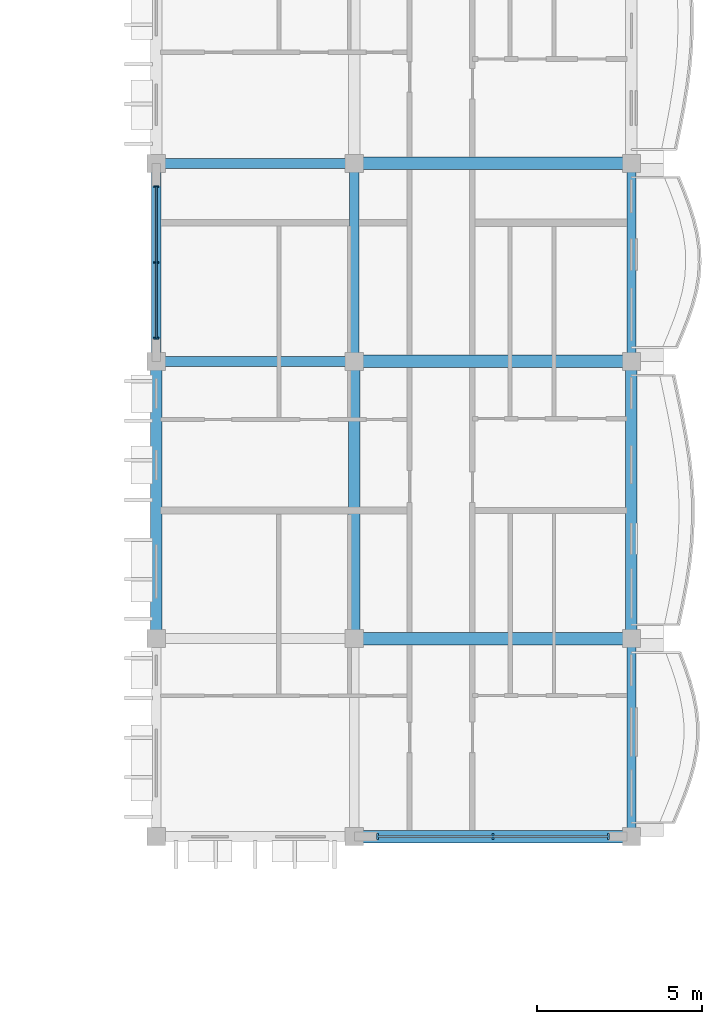
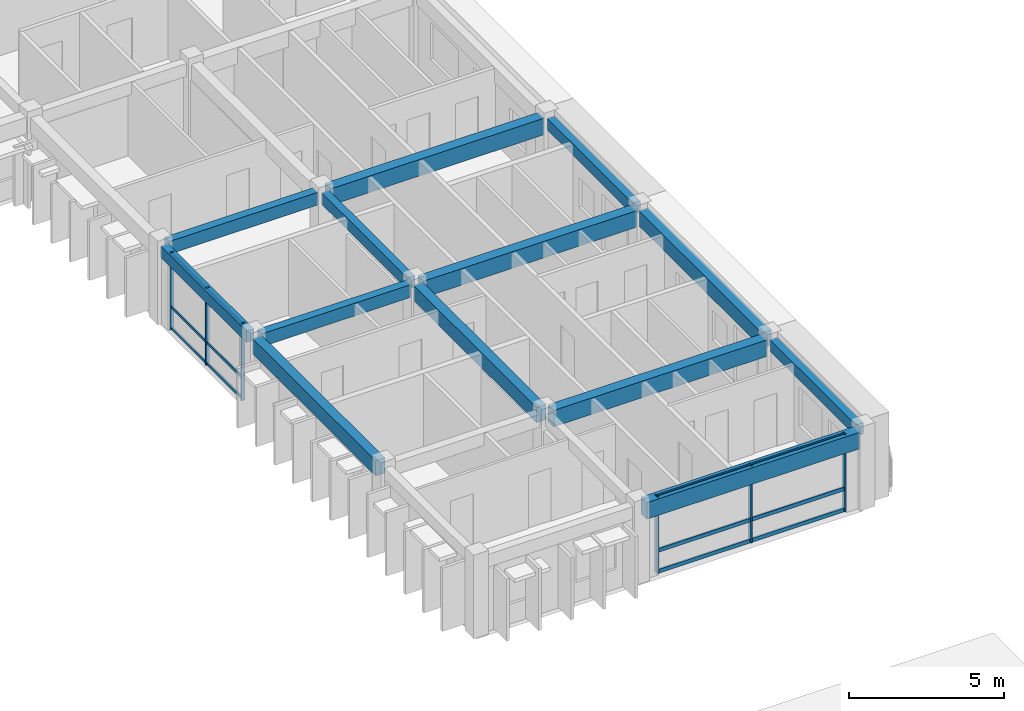
# One storey, part 14 of 54: 13 beams, 12 members, 2 elements without a shape of their own.
"""IFC4 building model written with IfcOpenShell, lengths in metres."""

from ifc_helpers import new_model, si_unit, direction, frame, origin, origin_2d, place, context, subcontext, project, spatial, rectangle, extrude, material, material_profile, profile_set, type_object, element, aggregate, save


model = new_model("IFC4")

# Units and contexts
model_context = context("Model", 3, precision=1e-05, world=origin(), true_north=direction((0.0, 1.0)))
body_context = subcontext(model_context, "Body", "Model", "MODEL_VIEW")
ifc_project = project(units=[si_unit("LENGTHUNIT", "METRE"), si_unit("AREAUNIT", "SQUARE_METRE"), si_unit("VOLUMEUNIT", "CUBIC_METRE"), si_unit("PLANEANGLEUNIT", "RADIAN"), si_unit("MASSUNIT", "GRAM", prefix="KILO"), si_unit("THERMODYNAMICTEMPERATUREUNIT", "KELVIN")], contexts=[model_context])

# Site, building, storey
site_placement = place(None, origin())
site = spatial("IfcSite", under=ifc_project, at=site_placement, CompositionType="ELEMENT")
building_placement = place(site_placement, origin())
building = spatial("IfcBuilding", under=site, at=building_placement, Name="Thalorik Housing Commons", CompositionType="ELEMENT")
storey_placement = place(building_placement, frame((0.0, 0.0, 31.199951171875)))
storey = spatial("IfcBuildingStorey", under=building, at=storey_placement, Name="L09", CompositionType="ELEMENT", Elevation=31.199951171875)

# Curtain wall, members
ifc_material_1 = material(Name="Anodised aluminium and solar-control low-E glass", Category="aluminium")
curtain_wall_type = type_object("IfcCurtainWallType", Name="ARC-CW-LOUNGE", PredefinedType="USERDEFINED", material=ifc_material_1)
curtain_wall_1_placement = place(storey_placement, origin())
curtain_wall_1 = element("IfcCurtainWall", 1, at=curtain_wall_1_placement, inside=storey, type_object=curtain_wall_type, Name="L09 Curtain Wall CW-RES-L09-B-113", ObjectType="CURTAIN WALL", PredefinedType="USERDEFINED")
ifc_material_2 = material(Name="Anodised aluminium 6063-T6", Category="aluminium")
ifc_material_profile_1 = material_profile(ifc_material_2, rectangle(XDim=0.054931640625, YDim=0.139892578125, at=origin_2d()), Name="ALU MUL 55x140", Category="aluminium")
ifc_profile_set_1 = profile_set([ifc_material_profile_1], Name="Anodised aluminium 6063-T6")
member_type_1 = type_object("IfcMemberType", Name="ARC-CW-MUL-55x140", PredefinedType="MULLION", material=ifc_profile_set_1)
member_1_placement = place(storey_placement, frame((152.39990234375, 100.10009765625, 0.0), z_axis=(0.0, 0.0, 1.0), x_axis=(0.0, -1.0, 0.0)))
member_1 = element("IfcMember", 2, at=member_1_placement, type_object=member_type_1, Name="CW-RES-L09-B-113 Mullion 1", PredefinedType="MULLION", context=body_context, shape_type="SweptSolid", body=[
    extrude(rectangle(XDim=0.054931640625, YDim=0.139892578125, at=origin_2d()), origin(), (0.0, 0.0, 1.0), 3.0400390625),
])
member_2_placement = place(storey_placement, frame((152.39990234375, 97.800048828125, 0.0), z_axis=(0.0, 0.0, 1.0), x_axis=(0.0, -1.0, 0.0)))
member_2 = element("IfcMember", 3, at=member_2_placement, type_object=member_type_1, Name="CW-RES-L09-B-113 Mullion 2", PredefinedType="MULLION", context=body_context, shape_type="SweptSolid", body=[
    extrude(rectangle(XDim=0.054931640625, YDim=0.139892578125, at=origin_2d()), origin(), (0.0, 0.0, 1.0), 3.0400390625),
])
member_3_placement = place(storey_placement, frame((152.39990234375, 95.5, 0.0), z_axis=(0.0, 0.0, 1.0), x_axis=(0.0, -1.0, 0.0)))
member_3 = element("IfcMember", 4, at=member_3_placement, type_object=member_type_1, Name="CW-RES-L09-B-113 Mullion 3", PredefinedType="MULLION", context=body_context, shape_type="SweptSolid", body=[
    extrude(rectangle(XDim=0.054931640625, YDim=0.139892578125, at=origin_2d()), origin(), (0.0, 0.0, 1.0), 3.0400390625),
])

curtain_wall_2_placement = place(storey_placement, origin())
curtain_wall_2 = element("IfcCurtainWall", 5, at=curtain_wall_2_placement, inside=storey, type_object=curtain_wall_type, Name="L09 Curtain Wall CW-RES-L09-B-114", ObjectType="CURTAIN WALL", PredefinedType="USERDEFINED")
ifc_material_profile_2 = material_profile(ifc_material_2, rectangle(XDim=0.06494140625, YDim=0.179931640625, at=origin_2d()), Name="ALU MUL 65x180", Category="aluminium")
ifc_profile_set_2 = profile_set([ifc_material_profile_2], Name="Anodised aluminium 6063-T6")
member_type_2 = type_object("IfcMemberType", Name="ARC-CW-MUL-65x180", PredefinedType="MULLION", material=ifc_profile_set_2)
member_4_placement = place(storey_placement, frame((159.10009765625, 80.39990234375, 0.0), z_axis=(0.0, 0.0, 1.0), x_axis=(1.0, 0.0, 0.0)))
member_4 = element("IfcMember", 6, at=member_4_placement, type_object=member_type_2, Name="CW-RES-L09-B-114 Mullion 1", PredefinedType="MULLION", context=body_context, shape_type="SweptSolid", body=[
    extrude(rectangle(XDim=0.06494140625, YDim=0.179931640625, at=origin_2d()), origin(), (0.0, 0.0, 1.0), 3.0400390625),
])
member_5_placement = place(storey_placement, frame((162.60009765625, 80.39990234375, 0.0), z_axis=(0.0, 0.0, 1.0), x_axis=(1.0, 0.0, 0.0)))
member_5 = element("IfcMember", 7, at=member_5_placement, type_object=member_type_2, Name="CW-RES-L09-B-114 Mullion 2", PredefinedType="MULLION", context=body_context, shape_type="SweptSolid", body=[
    extrude(rectangle(XDim=0.06494140625, YDim=0.179931640625, at=origin_2d()), origin(), (0.0, 0.0, 1.0), 3.0400390625),
])
member_6_placement = place(storey_placement, frame((166.10009765625, 80.39990234375, 0.0), z_axis=(0.0, 0.0, 1.0), x_axis=(1.0, 0.0, 0.0)))
member_6 = element("IfcMember", 8, at=member_6_placement, type_object=member_type_2, Name="CW-RES-L09-B-114 Mullion 3", PredefinedType="MULLION", context=body_context, shape_type="SweptSolid", body=[
    extrude(rectangle(XDim=0.06494140625, YDim=0.179931640625, at=origin_2d()), origin(), (0.0, 0.0, 1.0), 3.0400390625),
])

# Member
ifc_material_profile_3 = material_profile(ifc_material_2, rectangle(XDim=0.054931640625, YDim=0.10498046875, at=origin_2d()), Name="ALU TRN 55x105", Category="aluminium")
ifc_profile_set_3 = profile_set([ifc_material_profile_3], Name="Anodised aluminium 6063-T6")
member_type_3 = type_object("IfcMemberType", Name="ARC-CW-TRN-55x105", PredefinedType="USERDEFINED", material=ifc_profile_set_3)
member_7_placement = place(storey_placement, frame((152.39990234375, 100.10009765625, 0.054931640625), z_axis=(0.0, -1.0, 0.0), x_axis=(1.0, 0.0, 0.0)))
member_7 = element("IfcMember", 9, at=member_7_placement, type_object=member_type_3, Name="CW-RES-L09-B-113 Transom 1", ObjectType="TRANSOM", PredefinedType="USERDEFINED", context=body_context, shape_type="SweptSolid", body=[
    extrude(rectangle(XDim=0.054931640625, YDim=0.10498046875, at=origin_2d()), origin(), (0.0, 0.0, 1.0), 4.60009765625),
])

member_8_placement = place(storey_placement, frame((152.39990234375, 100.10009765625, 0.880126953125), z_axis=(0.0, -1.0, 0.0), x_axis=(1.0, 0.0, 0.0)))
member_8 = element("IfcMember", 10, at=member_8_placement, type_object=member_type_3, Name="CW-RES-L09-B-113 Transom 2", ObjectType="TRANSOM", PredefinedType="USERDEFINED", context=body_context, shape_type="SweptSolid", body=[
    extrude(rectangle(XDim=0.054931640625, YDim=0.10498046875, at=origin_2d()), origin(), (0.0, 0.0, 1.0), 4.60009765625),
])

member_9_placement = place(storey_placement, frame((152.39990234375, 100.10009765625, 2.985107421875), z_axis=(0.0, -1.0, 0.0), x_axis=(1.0, 0.0, 0.0)))
member_9 = element("IfcMember", 11, at=member_9_placement, type_object=member_type_3, Name="CW-RES-L09-B-113 Transom 3", ObjectType="TRANSOM", PredefinedType="USERDEFINED", context=body_context, shape_type="SweptSolid", body=[
    extrude(rectangle(XDim=0.054931640625, YDim=0.10498046875, at=origin_2d()), origin(), (0.0, 0.0, 1.0), 4.60009765625),
])

aggregate(curtain_wall_1, [member_1, member_2, member_3, member_7, member_8, member_9])

ifc_material_profile_4 = material_profile(ifc_material_2, rectangle(XDim=0.06494140625, YDim=0.14990234375, at=origin_2d()), Name="ALU TRN 65x150", Category="aluminium")
ifc_profile_set_4 = profile_set([ifc_material_profile_4], Name="Anodised aluminium 6063-T6")
member_type_4 = type_object("IfcMemberType", Name="ARC-CW-TRN-65x150", PredefinedType="USERDEFINED", material=ifc_profile_set_4)
member_10_placement = place(storey_placement, frame((159.10009765625, 80.39990234375, 0.054931640625), z_axis=(1.0, 0.0, 0.0), x_axis=(0.0, 1.0, 0.0)))
member_10 = element("IfcMember", 12, at=member_10_placement, type_object=member_type_4, Name="CW-RES-L09-B-114 Transom 1", ObjectType="TRANSOM", PredefinedType="USERDEFINED", context=body_context, shape_type="SweptSolid", body=[
    extrude(rectangle(XDim=0.06494140625, YDim=0.14990234375, at=origin_2d()), origin(), (0.0, 0.0, 1.0), 7.0),
])

member_11_placement = place(storey_placement, frame((159.10009765625, 80.39990234375, 0.880126953125), z_axis=(1.0, 0.0, 0.0), x_axis=(0.0, 1.0, 0.0)))
member_11 = element("IfcMember", 13, at=member_11_placement, type_object=member_type_4, Name="CW-RES-L09-B-114 Transom 2", ObjectType="TRANSOM", PredefinedType="USERDEFINED", context=body_context, shape_type="SweptSolid", body=[
    extrude(rectangle(XDim=0.06494140625, YDim=0.14990234375, at=origin_2d()), origin(), (0.0, 0.0, 1.0), 7.0),
])

member_12_placement = place(storey_placement, frame((159.10009765625, 80.39990234375, 2.985107421875), z_axis=(1.0, 0.0, 0.0), x_axis=(0.0, 1.0, 0.0)))
member_12 = element("IfcMember", 14, at=member_12_placement, type_object=member_type_4, Name="CW-RES-L09-B-114 Transom 3", ObjectType="TRANSOM", PredefinedType="USERDEFINED", context=body_context, shape_type="SweptSolid", body=[
    extrude(rectangle(XDim=0.06494140625, YDim=0.14990234375, at=origin_2d()), origin(), (0.0, 0.0, 1.0), 7.0),
])

aggregate(curtain_wall_2, [member_4, member_5, member_6, member_10, member_11, member_12])

# Beams
ifc_material_3 = material(Name="Precast concrete C40/50", Category="concrete")
ifc_material_profile_5 = material_profile(ifc_material_3, rectangle(XDim=0.280029296875, YDim=0.449951171875, at=origin_2d()), Name="PC 280x450", Category="concrete")
ifc_profile_set_5 = profile_set([ifc_material_profile_5], Name="Precast concrete C40/50")
beam_type_1 = type_object("IfcBeamType", Name="STR-BM-PC280x450", PredefinedType="BEAM", material=ifc_profile_set_5)
for number, where, z_axis, x_axis, name in (
    (15, (152.39990234375, 95.02490234375, 2.81494140625), (0.0, 1.0, 0.0), (-1.0, 0.0, 0.0), "L09 Beam B-450"),
    (16, (158.39990234375, 95.02490234375, 2.81494140625), (0.0, 1.0, 0.0), (-1.0, 0.0, 0.0), "L09 Beam B-450"),
    (17, (166.800048828125, 80.625, 2.81494140625), (0.0, 1.0, 0.0), (-1.0, 0.0, 0.0), "L09 Beam B-450"),
    (18, (166.800048828125, 95.02490234375, 2.81494140625), (0.0, 1.0, 0.0), (-1.0, 0.0, 0.0), "L09 Beam B-450"),
):
    element("IfcBeam", number, at=place(storey_placement, frame(where, z_axis=z_axis, x_axis=x_axis)), inside=storey, type_object=beam_type_1, Name=name, PredefinedType="BEAM", context=body_context, shape_type="SweptSolid", body=[
        extrude(rectangle(XDim=0.280029296875, YDim=0.449951171875, at=origin_2d()), origin(), (0.0, 0.0, 1.0), 5.550048828125),
    ])
ifc_material_profile_6 = material_profile(ifc_material_3, rectangle(XDim=0.300048828125, YDim=0.5, at=origin_2d()), Name="PC 300x500", Category="concrete")
ifc_profile_set_6 = profile_set([ifc_material_profile_6], Name="Precast concrete C40/50")
beam_type_2 = type_object("IfcBeamType", Name="STR-BM-PC300x500", PredefinedType="BEAM", material=ifc_profile_set_6)
for number, where, z_axis, x_axis, name in (
    (19, (152.625, 94.800048828125, 2.7900390625), (1.0, 0.0, 0.0), (0.0, 1.0, 0.0), "L09 Beam B-500"),
    (20, (152.625, 100.800048828125, 2.7900390625), (1.0, 0.0, 0.0), (0.0, 1.0, 0.0), "L09 Beam B-500"),
):
    element("IfcBeam", number, at=place(storey_placement, frame(where, z_axis=z_axis, x_axis=x_axis)), inside=storey, type_object=beam_type_2, Name=name, PredefinedType="BEAM", context=body_context, shape_type="SweptSolid", body=[
        extrude(rectangle(XDim=0.300048828125, YDim=0.5, at=origin_2d()), origin(), (0.0, 0.0, 1.0), 5.550048828125),
    ])
ifc_material_profile_7 = material_profile(ifc_material_3, rectangle(XDim=0.35009765625, YDim=0.60009765625, at=origin_2d()), Name="PC 350x600", Category="concrete")
ifc_profile_set_7 = profile_set([ifc_material_profile_7], Name="Precast concrete C40/50")
beam_type_3 = type_object("IfcBeamType", Name="STR-BM-PC350x600", PredefinedType="BEAM", material=ifc_profile_set_7)
for number, where, z_axis, x_axis, name in (
    (21, (152.39990234375, 86.625, 2.739990234375), (0.0, 1.0, 0.0), (-1.0, 0.0, 0.0), "L09 Beam B-600"),
    (22, (158.39990234375, 86.625, 2.739990234375), (0.0, 1.0, 0.0), (-1.0, 0.0, 0.0), "L09 Beam B-600"),
    (23, (166.800048828125, 86.625, 2.739990234375), (0.0, 1.0, 0.0), (-1.0, 0.0, 0.0), "L09 Beam B-600"),
):
    element("IfcBeam", number, at=place(storey_placement, frame(where, z_axis=z_axis, x_axis=x_axis)), inside=storey, type_object=beam_type_3, Name=name, PredefinedType="BEAM", context=body_context, shape_type="SweptSolid", body=[
        extrude(rectangle(XDim=0.35009765625, YDim=0.60009765625, at=origin_2d()), origin(), (0.0, 0.0, 1.0), 7.949951171875),
    ])
ifc_material_profile_8 = material_profile(ifc_material_3, rectangle(XDim=0.3798828125, YDim=0.64990234375, at=origin_2d()), Name="PC 380x650", Category="concrete")
ifc_profile_set_8 = profile_set([ifc_material_profile_8], Name="Precast concrete C40/50")
beam_type_4 = type_object("IfcBeamType", Name="STR-BM-PC380x650", PredefinedType="BEAM", material=ifc_profile_set_8)
for number, where, z_axis, x_axis, name in (
    (24, (158.625, 80.39990234375, 2.715087890625), (1.0, 0.0, 0.0), (0.0, 1.0, 0.0), "L09 Beam B-650"),
    (25, (158.625, 86.39990234375, 2.715087890625), (1.0, 0.0, 0.0), (0.0, 1.0, 0.0), "L09 Beam B-650"),
    (26, (158.625, 94.800048828125, 2.715087890625), (1.0, 0.0, 0.0), (0.0, 1.0, 0.0), "L09 Beam B-650"),
    (27, (158.625, 100.800048828125, 2.715087890625), (1.0, 0.0, 0.0), (0.0, 1.0, 0.0), "L09 Beam B-650"),
):
    element("IfcBeam", number, at=place(storey_placement, frame(where, z_axis=z_axis, x_axis=x_axis)), inside=storey, type_object=beam_type_4, Name=name, PredefinedType="BEAM", context=body_context, shape_type="SweptSolid", body=[
        extrude(rectangle(XDim=0.3798828125, YDim=0.64990234375, at=origin_2d()), origin(), (0.0, 0.0, 1.0), 7.949951171875),
    ])

save(model, "model.ifc")
